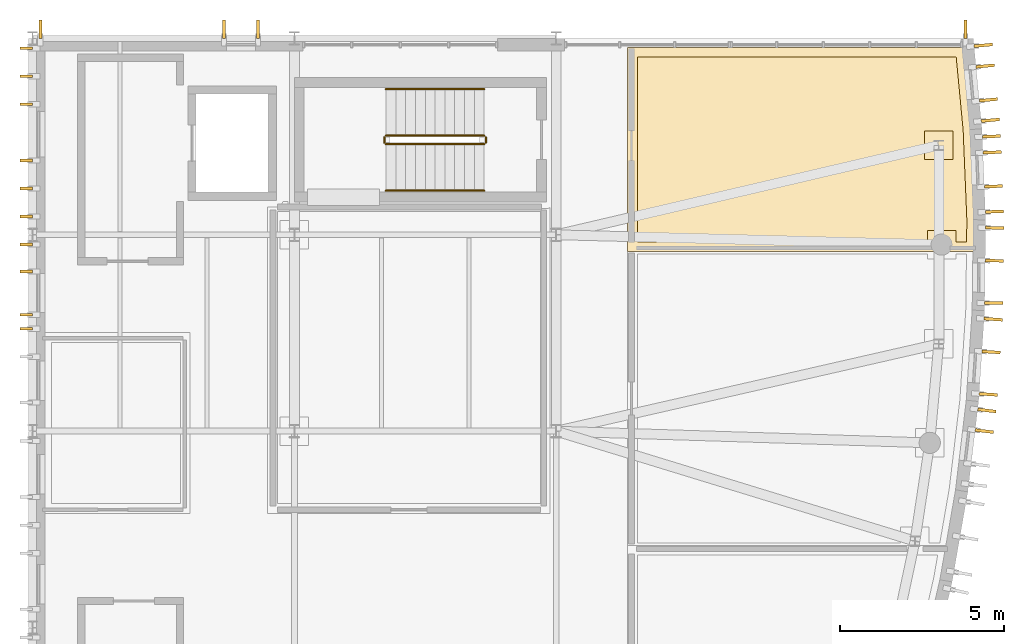
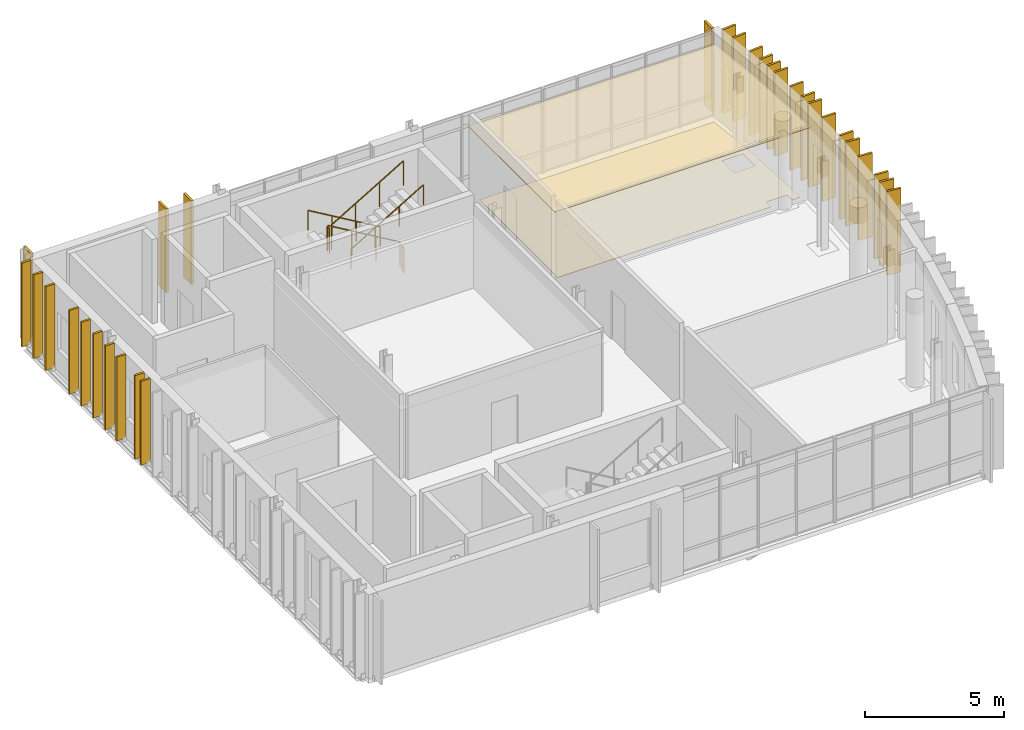
# One storey, part 10 of 10: 32 coverings, 6 railings.
"""IFC4 building model written with IfcOpenShell, lengths in metres."""

import ifcopenshell
import ifcopenshell.guid

model = None  # the IFC model being written
_history = None  # IfcOwnerHistory: only IFC2X3 demands one
_inside = {}  # id of a spatial element -> (the spatial element, [elements in it])
_under = {}  # id of a project, library or spatial element -> (it, [spatial elements below it])
_declared = {}  # id of a project -> (the project, [libraries it declares])
_typed = {}  # id of a type object -> (the type object, [elements of that type])
_made_of = {}  # id of a material, layer set ... -> (it, [elements and type objects made of it])


def new_model(schema):
    """Start an empty IFC model of exactly this schema.

    Asked for "IFC4X3", IfcOpenShell would pick the latest addendum, in which some entities
    have other attributes; the version numbers below select the first issue.
    IFC2X3 requires an IfcOwnerHistory on every rooted entity: one is made here for all.
    """
    global model, _history
    if schema == "IFC4X3":
        model = ifcopenshell.file(schema_version=(4, 3, 0, 0))
    else:
        model = ifcopenshell.file(schema=schema)
    _inside.clear()
    _under.clear()
    _declared.clear()
    _typed.clear()
    _made_of.clear()
    _history = None
    if model.schema == "IFC2X3":
        org = make("IfcOrganization", Name="unknown")
        user = make(
            "IfcPersonAndOrganization",
            ThePerson=make("IfcPerson", FamilyName="unknown"),
            TheOrganization=org,
        )
        app = make(
            "IfcApplication",
            ApplicationDeveloper=org,
            Version="unknown",
            ApplicationFullName="unknown",
            ApplicationIdentifier="unknown",
        )
        _history = make(
            "IfcOwnerHistory",
            OwningUser=user,
            OwningApplication=app,
            ChangeAction="ADDED",
            CreationDate=0,
        )
    return model


def make(cls, **values):
    """One entity of the class cls with the attributes given. An attribute that is None is left unset."""
    return model.create_entity(
        cls, **{name: value for name, value in values.items() if value is not None}
    )


def rooted(cls, **values):
    """An entity with a GlobalId (a new one), such as an element, a storey or a relation."""
    return make(cls, GlobalId=ifcopenshell.guid.new(), OwnerHistory=_history, **values)


def si_unit(unit_type, name, prefix=None):
    """IfcSIUnit, for example si_unit("LENGTHUNIT", "METRE", prefix="MILLI")."""
    return make("IfcSIUnit", UnitType=unit_type, Prefix=prefix, Name=name)


def assignment(units):
    """IfcUnitAssignment: the units of a project."""
    return None if units is None else make("IfcUnitAssignment", Units=units)


def point(xyz):
    """IfcCartesianPoint."""
    return None if xyz is None else make("IfcCartesianPoint", Coordinates=xyz)


def direction(xyz):
    """IfcDirection."""
    return None if xyz is None else make("IfcDirection", DirectionRatios=xyz)


def frame(location, z_axis=None, x_axis=None):
    """IfcAxis2Placement3D, a coordinate frame: its origin and axes. An axis left out is left unset."""
    return make(
        "IfcAxis2Placement3D",
        Location=point(location),
        Axis=direction(z_axis),
        RefDirection=direction(x_axis),
    )


def frame_2d(location, x_axis=None):
    """IfcAxis2Placement2D, a coordinate frame in the plane: its origin and x axis."""
    return make(
        "IfcAxis2Placement2D", Location=point(location), RefDirection=direction(x_axis)
    )


def origin():
    """The frame at (0, 0, 0) with its axes left unset."""
    return frame((0.0, 0.0, 0.0))


def origin_2d():
    """The frame at (0, 0) in the plane with its x axis left unset."""
    return frame_2d((0.0, 0.0))


def place(relative_to, where):
    """IfcLocalPlacement: puts the frame where relative to a parent placement (None: the world)."""
    return make(
        "IfcLocalPlacement", PlacementRelTo=relative_to, RelativePlacement=where
    )


def context(
    kind, dimensions, precision=None, world=None, true_north=None, identifier=None
):
    """IfcGeometricRepresentationContext, for example the 3D "Model" context."""
    return make(
        "IfcGeometricRepresentationContext",
        ContextIdentifier=identifier,
        ContextType=kind,
        CoordinateSpaceDimension=dimensions,
        Precision=precision,
        WorldCoordinateSystem=world,
        TrueNorth=true_north,
    )


def subcontext(parent, identifier, kind, view, scale=None):
    """IfcGeometricRepresentationSubContext, for example "Body" below "Model"."""
    return make(
        "IfcGeometricRepresentationSubContext",
        ContextIdentifier=identifier,
        ContextType=kind,
        ParentContext=parent,
        TargetScale=scale,
        TargetView=view,
    )


def project(units=None, contexts=None):
    """IfcProject with its units and contexts."""
    return rooted(
        "IfcProject",
        Name="project",
        RepresentationContexts=contexts,
        UnitsInContext=assignment(units),
    )


def spatial(cls, under=None, at=None, **own):
    """A site, building, storey or space (cls), placed at a placement, below another one or the project."""
    s = rooted(cls, ObjectPlacement=at, **own)
    if under is not None:
        _under.setdefault(under.id(), (under, []))[1].append(s)
    return s


def polyline(points):
    """IfcPolyline through the points."""
    return make("IfcPolyline", Points=[point(p) for p in points])


def profile(cls, at=None, kind="AREA", **sizes):
    """A parametric profile (cls). Its sizes go by their IFC names, for example OverallWidth=200.0."""
    return make(cls, ProfileType=kind, Position=at, **sizes)


def rectangle(**sizes):
    """IfcRectangleProfileDef."""
    return profile("IfcRectangleProfileDef", **sizes)


def circle(**sizes):
    """IfcCircleProfileDef."""
    return profile("IfcCircleProfileDef", **sizes)


def outline(outer, holes=None, kind="AREA"):
    """IfcArbitraryClosedProfileDef: a profile drawn as a closed curve; with holes, ...WithVoids."""
    if holes is None:
        return make("IfcArbitraryClosedProfileDef", ProfileType=kind, OuterCurve=outer)
    return make(
        "IfcArbitraryProfileDefWithVoids",
        ProfileType=kind,
        OuterCurve=outer,
        InnerCurves=holes,
    )


def extrude(swept, where, along, depth):
    """IfcExtrudedAreaSolid: the profile swept, set in the frame where, extruded along a direction by depth."""
    return make(
        "IfcExtrudedAreaSolid",
        SweptArea=swept,
        Position=where,
        ExtrudedDirection=direction(along),
        Depth=depth,
    )


def shape(context_of_items, identifier, shape_type, items):
    """IfcShapeRepresentation: the items that make up one representation, for example the "Body"."""
    return make(
        "IfcShapeRepresentation",
        ContextOfItems=context_of_items,
        RepresentationIdentifier=identifier,
        RepresentationType=shape_type,
        Items=items,
    )


def material(Name=None, Category=None):
    """IfcMaterial."""
    return make("IfcMaterial", Name=Name, Category=Category)


def layer(
    of_material, thickness, ventilated=None, Name=None, Category=None, Priority=None
):
    """IfcMaterialLayer: one layer of a wall or slab, of a material (None: an air gap)."""
    return make(
        "IfcMaterialLayer",
        Material=of_material,
        LayerThickness=thickness,
        IsVentilated=ventilated,
        Name=Name,
        Category=Category,
        Priority=Priority,
    )


def layer_set(layers, Name=None):
    """IfcMaterialLayerSet."""
    return make("IfcMaterialLayerSet", MaterialLayers=layers, LayerSetName=Name)


def made_of(thing, what):
    """Note that an element or type object is made of a material, layer set ...; save() writes the relation."""
    if what is not None:
        _made_of.setdefault(what.id(), (what, []))[1].append(thing)
    return thing


def type_object(cls, material=None, **own):
    """A type object (cls), such as IfcWallType, which elements share."""
    return made_of(rooted(cls, **own), material)


def element(
    cls,
    number,
    at=None,
    inside=None,
    cuts=None,
    type_object=None,
    material=None,
    context=None,
    identifier="Body",
    shape_type=None,
    held_by="IfcProductDefinitionShape",
    body=None,
    shapes=None,
    **own,
):
    """One element of the class cls, such as IfcWall. Its Tag is "e" and its number.

    at: its placement. inside: the storey or other place that contains it. cuts: it is an
    opening in that element (IfcRelVoidsElement). A single representation is given by context,
    identifier, shape_type and body (its items); several are given by shapes. held_by: the class
    of the entity that holds the representations. save() writes the other relations.
    """
    e = rooted(cls, Tag="e%d" % number, ObjectPlacement=at, **own)
    if body is not None:
        shapes = [shape(context, identifier, shape_type, body)]
    if shapes is not None:
        e.Representation = make(held_by, Representations=shapes)
    if inside is not None:
        _inside.setdefault(inside.id(), (inside, []))[1].append(e)
    if cuts is not None:
        rooted(
            "IfcRelVoidsElement", RelatingBuildingElement=cuts, RelatedOpeningElement=e
        )
    if type_object is not None:
        _typed.setdefault(type_object.id(), (type_object, []))[1].append(e)
    return made_of(e, material)


def aggregate(whole, parts):
    """IfcRelAggregates: a whole, such as a stair, and the parts it consists of."""
    return rooted("IfcRelAggregates", RelatingObject=whole, RelatedObjects=parts)


def save(model, path):
    """Write the relations noted so far, then the file.

    IfcRelAggregates (storeys below a building ...), IfcRelContainedInSpatialStructure (elements
    in a storey), IfcRelDefinesByType, IfcRelAssociatesMaterial and IfcRelDeclares: one each for
    every whole, place, type object, material and project.
    """
    for whole, parts in _under.values():
        aggregate(whole, parts)
    for where, things in _inside.values():
        rooted(
            "IfcRelContainedInSpatialStructure",
            RelatedElements=things,
            RelatingStructure=where,
        )
    for kind, things in _typed.values():
        rooted("IfcRelDefinesByType", RelatedObjects=things, RelatingType=kind)
    for what, things in _made_of.values():
        rooted("IfcRelAssociatesMaterial", RelatedObjects=things, RelatingMaterial=what)
    for by, libraries in _declared.values():
        rooted("IfcRelDeclares", RelatingContext=by, RelatedDefinitions=libraries)
    model.write(path)


model = new_model("IFC4")

# Units and contexts
model_context = context("Model", 3, precision=1e-05, world=origin(), true_north=direction((0.0, 1.0)))
body_context = subcontext(model_context, "Body", "Model", "MODEL_VIEW")
ifc_project = project(units=[si_unit("LENGTHUNIT", "METRE"), si_unit("AREAUNIT", "SQUARE_METRE"), si_unit("VOLUMEUNIT", "CUBIC_METRE"), si_unit("PLANEANGLEUNIT", "RADIAN"), si_unit("MASSUNIT", "GRAM", prefix="KILO")], contexts=[model_context])

# Site, building, storey
site_placement = place(None, origin())
site = spatial("IfcSite", under=ifc_project, at=site_placement, CompositionType="ELEMENT")
building_placement = place(site_placement, origin())
building = spatial("IfcBuilding", under=site, at=building_placement, Name="Cymarion Research Institute", CompositionType="ELEMENT")
storey_placement = place(building_placement, frame((0.0, 0.0, 38.39990234375)))
storey = spatial("IfcBuildingStorey", under=building, at=storey_placement, Name="L09", CompositionType="ELEMENT", Elevation=38.39990234375)

# Coverings
ifc_material_1 = material(Name="Micro-perforated mineral acoustic ceiling tile", Category="gypsum")
ifc_layer_1 = layer(ifc_material_1, 0.030029296875)
ifc_layer_set_1 = layer_set([ifc_layer_1], Name="Micro-perforated mineral acoustic ceiling tile")
covering_type_1 = type_object("IfcCoveringType", Name="ACOUSTIC MICRO-PERFORATED SUSPENDED CEILING CLG-01", PredefinedType="CEILING", material=ifc_layer_set_1)
covering_1_placement = place(storey_placement, frame((0.0, 0.0, 3.150146484375)))
element("IfcCovering", 1, at=covering_1_placement, inside=storey, type_object=covering_type_1, Name="L09 L09 Tower Staff Restrooms and Accessible Washroom acoustic ceiling", PredefinedType="CEILING", context=body_context, shape_type="SweptSolid", body=[
    extrude(outline(polyline([(167.44580078125, 23.952392578125), (167.43408203125, 22.985107421875), (166.511474609375, 22.985107421875), (166.511474609375, 23.3349609375), (166.241455078125, 23.3349609375), (166.241455078125, 22.985107421875), (156.784912109375, 22.985107421875), (156.784912109375, 29.22509765625), (167.093505859375, 29.22509765625), (167.331787109375, 26.714599609375), (167.44580078125, 23.952392578125)])), origin(), (0.0, 0.0, 1.0), 0.030029296875),
])
ifc_material_2 = material(Name="Precast concrete C45/55 architectural white", Category="concrete")
ifc_layer_2 = layer(ifc_material_2, 0.090087890625)
ifc_layer_set_2 = layer_set([ifc_layer_2], Name="Precast concrete C45/55 architectural white")
covering_type_2 = type_object("IfcCoveringType", Name="ARCHITECTURAL WHITE PRECAST CONCRETE VERTICAL FIN FIN1 560MM", PredefinedType="CLADDING", material=ifc_layer_set_2)
for number, where, z_axis, x_axis, name in (
    (2, (167.680908203125, 17.501708984375, 0.01025390625), (0.0, 0.0, 1.0), (0.992924116831, -0.118750571435, 0.0), "L09 V1 white precast vertical fin FIN1 #818"),
    (3, (167.75634765625, 18.13232421875, 0.01025390625), (0.0, 0.0, 1.0), (0.992924116831, -0.118750571435, 0.0), "L09 V1 white precast vertical fin FIN1 #819"),
    (4, (167.802001953125, 18.625, 0.01025390625), (0.0, 0.0, 1.0), (0.997847493041, -0.06557728747, 0.0), "L09 V1 white precast vertical fin FIN1 #820"),
    (5, (167.88720703125, 19.919189453125, 0.01025390625), (0.0, 0.0, 1.0), (0.997847493041, -0.06557728747, 0.0), "L09 V1 white precast vertical fin FIN1 #821"),
    (6, (167.952880859375, 20.91943359375, 0.01025390625), (0.0, 0.0, 1.0), (0.997847493041, -0.06557728747, 0.0), "L09 V1 white precast vertical fin FIN1 #822"),
    (7, (167.971923828125, 21.413818359375, 0.01025390625), (0.0, 0.0, 1.0), (0.99992536966, -0.012217000835, 0.0), "L09 V1 white precast vertical fin FIN1 #823"),
    (8, (167.98779296875, 22.707763671875, 0.01025390625), (0.0, 0.0, 1.0), (0.99992536966, -0.012217000835, 0.0), "L09 V1 white precast vertical fin FIN1 #824"),
    (9, (168.0, 23.712890625, 0.01025390625), (0.0, 0.0, 1.0), (0.99992536966, -0.012217000835, 0.0), "L09 V1 white precast vertical fin FIN1 #825"),
    (10, (167.992919921875, 24.207763671875, 0.01025390625), (0.0, 0.0, 1.0), (0.999144619181, 0.041352508522, 0.0), "L09 V1 white precast vertical fin FIN1 #826"),
    (11, (167.9609375, 24.978271484375, 0.01025390625), (0.0, 0.0, 1.0), (0.999144619181, 0.041352508522, 0.0), "L09 V1 white precast vertical fin FIN1 #827"),
    (12, (167.918212890625, 26.017333984375, 0.01025390625), (0.0, 0.0, 1.0), (0.999144619181, 0.041352508522, 0.0), "L09 V1 white precast vertical fin FIN1 #828"),
    (13, (167.89794921875, 26.505126953125, 0.01025390625), (0.0, 0.0, 1.0), (0.999144619181, 0.041352508522, 0.0), "L09 V1 white precast vertical fin FIN1 #829"),
    (14, (167.8642578125, 26.998779296875, 0.01025390625), (0.0, 0.0, 1.0), (0.995512553138, 0.09462957542, 0.0), "L09 V1 white precast vertical fin FIN1 #830"),
    (15, (167.805419921875, 27.6201171875, 0.01025390625), (0.0, 0.0, 1.0), (0.995512553138, 0.09462957542, 0.0), "L09 V1 white precast vertical fin FIN1 #831"),
    (16, (167.70703125, 28.6552734375, 0.01025390625), (0.0, 0.0, 1.0), (0.995512553138, 0.09462957542, 0.0), "L09 V1 white precast vertical fin FIN1 #832"),
    (17, (167.64697265625, 29.287841796875, 0.01025390625), (0.0, 0.0, 1.0), (0.995512553138, 0.09462957542, 0.0), "L09 V1 white precast vertical fin FIN1 #833"),
    (18, (167.103515625, 29.781982421875, 0.01025390625), (0.0, 0.0, 1.0), (0.0, 1.0, 0.0), "L09 V1 white precast vertical fin FIN1 #834"),
    (19, (145.489013671875, 29.781982421875, 0.01025390625), (0.0, 0.0, 1.0), (0.0, 1.0, 0.0), "L09 V1 white precast vertical fin FIN1 #835"),
    (20, (144.448974609375, 29.781982421875, 0.01025390625), (0.0, 0.0, 1.0), (0.0, 1.0, 0.0), "L09 V1 white precast vertical fin FIN1 #836"),
    (21, (138.840087890625, 29.781982421875, 0.01025390625), (0.0, 0.0, 1.0), (0.0, 1.0, 0.0), "L09 V1 white precast vertical fin FIN1 #837"),
):
    element("IfcCovering", number, at=place(storey_placement, frame(where, z_axis=z_axis, x_axis=x_axis)), inside=storey, type_object=covering_type_2, Name=name, PredefinedType="CLADDING", context=body_context, shape_type="SweptSolid", body=[
        extrude(rectangle(XDim=0.56005859375, YDim=0.090087890625, at=origin_2d()), origin(), (0.0, 0.0, 1.0), 3.679931640625),
    ])
ifc_layer_3 = layer(ifc_material_2, 0.0849609375)
ifc_layer_set_3 = layer_set([ifc_layer_3], Name="Precast concrete C45/55 architectural white")
covering_type_3 = type_object("IfcCoveringType", Name="ARCHITECTURAL WHITE PRECAST CONCRETE VERTICAL FIN FIN3 380MM", PredefinedType="CLADDING", material=ifc_layer_set_3)
for number, where, z_axis, x_axis, name in (
    (22, (138.407958984375, 29.199951171875, 0.01025390625), (0.0, 0.0, 1.0), (-1.0, 0.0, 0.0), "L09 V1 white precast vertical fin FIN3 #838"),
    (23, (138.407958984375, 28.343017578125, 0.01025390625), (0.0, 0.0, 1.0), (-1.0, 0.0, 0.0), "L09 V1 white precast vertical fin FIN3 #839"),
    (24, (138.407958984375, 27.485595703125, 0.01025390625), (0.0, 0.0, 1.0), (-1.0, 0.0, 0.0), "L09 V1 white precast vertical fin FIN3 #840"),
    (25, (138.407958984375, 25.771484375, 0.01025390625), (0.0, 0.0, 1.0), (-1.0, 0.0, 0.0), "L09 V1 white precast vertical fin FIN3 #841"),
    (26, (138.407958984375, 24.914306640625, 0.01025390625), (0.0, 0.0, 1.0), (-1.0, 0.0, 0.0), "L09 V1 white precast vertical fin FIN3 #842"),
    (27, (138.407958984375, 24.05712890625, 0.01025390625), (0.0, 0.0, 1.0), (-1.0, 0.0, 0.0), "L09 V1 white precast vertical fin FIN3 #843"),
    (28, (138.407958984375, 23.199951171875, 0.01025390625), (0.0, 0.0, 1.0), (-1.0, 0.0, 0.0), "L09 V1 white precast vertical fin FIN3 #844"),
    (29, (138.407958984375, 22.3798828125, 0.01025390625), (0.0, 0.0, 1.0), (-1.0, 0.0, 0.0), "L09 V1 white precast vertical fin FIN3 #845"),
    (30, (138.407958984375, 21.06005859375, 0.01025390625), (0.0, 0.0, 1.0), (-1.0, 0.0, 0.0), "L09 V1 white precast vertical fin FIN3 #846"),
    (31, (138.407958984375, 20.628662109375, 0.01025390625), (0.0, 0.0, 1.0), (-1.0, 0.0, 0.0), "L09 V1 white precast vertical fin FIN3 #847"),
):
    element("IfcCovering", number, at=place(storey_placement, frame(where, z_axis=z_axis, x_axis=x_axis)), inside=storey, type_object=covering_type_3, Name=name, PredefinedType="CLADDING", context=body_context, shape_type="SweptSolid", body=[
        extrude(rectangle(XDim=0.3798828125, YDim=0.0849609375, at=origin_2d()), origin(), (0.0, 0.0, 1.0), 3.679931640625),
    ])

# Railings
ifc_material_3 = material(Name="Steel S355", Category="steel")
railing_type_1 = type_object("IfcRailingType", Name="PAINTED STEEL STAIR GUARDRAIL GR1 1100MM", PredefinedType="GUARDRAIL", material=ifc_material_3)
railing_1_placement = place(storey_placement, frame((152.39990234375, 26.530029296875, 0.177490234375)))
element("IfcRailing", 32, at=railing_1_placement, inside=storey, type_object=railing_type_1, Name="L09 ST2 stair guard 1", PredefinedType="GUARDRAIL", context=body_context, shape_type="SweptSolid", body=[
    extrude(circle(Radius=0.02392578125, at=origin_2d()), frame((0.0, 0.0, 1.076171875), z_axis=(-0.86092931783, 0.0, 0.508724591208), x_axis=(0.0, -1.0, 0.0)), (0.0, 0.0, 1.0), 3.484619140625),
    extrude(circle(Radius=0.02099609375, at=origin_2d()), origin(), (0.0, 0.0, 1.0), 1.052001953125),
    extrude(circle(Radius=0.02099609375, at=origin_2d()), frame((-1.0, 0.0, 0.5908203125)), (0.0, 0.0, 1.0), 1.052001953125),
    extrude(circle(Radius=0.02099609375, at=origin_2d()), frame((-2.0, 0.0, 1.181884765625)), (0.0, 0.0, 1.0), 1.052001953125),
    extrude(circle(Radius=0.02099609375, at=origin_2d()), frame((-3.0, 0.0, 1.772705078125)), (0.0, 0.0, 1.0), 1.052001953125),
])
railing_2_placement = place(storey_placement, frame((149.35009765625, 26.47998046875, 1.9501953125)))
element("IfcRailing", 33, at=railing_2_placement, inside=storey, type_object=railing_type_1, Name="L09 ST2 stair guard 2", PredefinedType="GUARDRAIL", context=body_context, shape_type="SweptSolid", body=[
    extrude(circle(Radius=0.02392578125, at=origin_2d()), frame((0.0, 0.0, 1.076171875), z_axis=(0.0, -1.0, 0.0), x_axis=(1.0, 0.0, 0.0)), (0.0, 0.0, 1.0), 0.159912109375),
    extrude(circle(Radius=0.02099609375, at=origin_2d()), origin(), (0.0, 0.0, 1.0), 1.052001953125),
    extrude(circle(Radius=0.02099609375, at=origin_2d()), frame((0.0, -0.159912109375, 0.0)), (0.0, 0.0, 1.0), 1.052001953125),
])
railing_3_placement = place(storey_placement, frame((149.39990234375, 26.27001953125, 2.12744140625)))
element("IfcRailing", 34, at=railing_3_placement, inside=storey, type_object=railing_type_1, Name="L09 ST2 stair guard 3", PredefinedType="GUARDRAIL", context=body_context, shape_type="SweptSolid", body=[
    extrude(circle(Radius=0.02392578125, at=origin_2d()), frame((0.0, 0.0, 1.076171875), z_axis=(0.86092931783, 0.0, 0.508724591208), x_axis=(0.0, 1.0, 0.0)), (0.0, 0.0, 1.0), 3.484619140625),
    extrude(circle(Radius=0.02099609375, at=origin_2d()), origin(), (0.0, 0.0, 1.0), 1.052001953125),
    extrude(circle(Radius=0.02099609375, at=origin_2d()), frame((1.0, 0.0, 0.5908203125)), (0.0, 0.0, 1.0), 1.052001953125),
    extrude(circle(Radius=0.02099609375, at=origin_2d()), frame((2.0, 0.0, 1.181884765625)), (0.0, 0.0, 1.0), 1.052001953125),
    extrude(circle(Radius=0.02099609375, at=origin_2d()), frame((3.0, 0.0, 1.772705078125)), (0.0, 0.0, 1.0), 1.052001953125),
])
railing_4_placement = place(storey_placement, frame((152.449951171875, 26.47998046875, 0.0)))
element("IfcRailing", 35, at=railing_4_placement, inside=storey, type_object=railing_type_1, Name="L09 ST2 stair guard 4", PredefinedType="GUARDRAIL", context=body_context, shape_type="SweptSolid", body=[
    extrude(circle(Radius=0.02392578125, at=origin_2d()), frame((0.0, 0.0, 1.076171875), z_axis=(0.0, -1.0, 0.0), x_axis=(1.0, 0.0, 0.0)), (0.0, 0.0, 1.0), 0.159912109375),
    extrude(circle(Radius=0.02099609375, at=origin_2d()), origin(), (0.0, 0.0, 1.0), 1.052001953125),
    extrude(circle(Radius=0.02099609375, at=origin_2d()), frame((0.0, -0.159912109375, 0.0)), (0.0, 0.0, 1.0), 1.052001953125),
])

# Covering
ifc_material_4 = material(Name="Seamless dissipative epoxy resin flooring", Category="resin")
ifc_layer_4 = layer(ifc_material_4, 0.02001953125)
ifc_layer_set_4 = layer_set([ifc_layer_4], Name="Seamless dissipative epoxy resin flooring")
covering_type_4 = type_object("IfcCoveringType", Name="SEAMLESS ESD EPOXY LABORATORY FLOORING FLR-01", PredefinedType="FLOORING", material=ifc_layer_set_4)
covering_2_placement = place(storey_placement, origin())
element("IfcCovering", 36, at=covering_2_placement, inside=storey, type_object=covering_type_4, Name="L09 L09 Tower Staff Restrooms and Accessible Washroom ESD epoxy flooring", PredefinedType="FLOORING", context=body_context, shape_type="SweptSolid", body=[
    extrude(outline(polyline([(167.032470703125, 26.694091796875), (167.14599609375, 23.947998046875), (167.1376953125, 23.284912109375), (166.8115234375, 23.284912109375), (166.8115234375, 23.635009765625), (165.94140625, 23.635009765625), (165.94140625, 23.284912109375), (157.0849609375, 23.284912109375), (157.0849609375, 28.925048828125), (166.820556640625, 28.925048828125), (167.032470703125, 26.694091796875)]), holes=[polyline([(166.720458984375, 25.799072265625), (166.720458984375, 26.6689453125), (165.8505859375, 26.6689453125), (165.8505859375, 25.799072265625), (166.720458984375, 25.799072265625)])]), origin(), (0.0, 0.0, 1.0), 0.02001953125),
])

# Railings
railing_type_2 = type_object("IfcRailingType", Name="STAINLESS STEEL STAIR HANDRAIL HR1 900MM", PredefinedType="HANDRAIL", material=ifc_material_3)
railing_5_placement = place(storey_placement, frame((152.39990234375, 27.949951171875, 0.177490234375)))
element("IfcRailing", 37, at=railing_5_placement, inside=storey, type_object=railing_type_2, Name="L09 ST2 stair handrail 1", PredefinedType="HANDRAIL", context=body_context, shape_type="SweptSolid", body=[
    extrude(circle(Radius=0.02392578125, at=origin_2d()), frame((0.0, 0.0, 0.8759765625), z_axis=(-0.86092931783, 0.0, 0.508724591208), x_axis=(0.0, -1.0, 0.0)), (0.0, 0.0, 1.0), 3.484619140625),
    extrude(circle(Radius=0.02099609375, at=origin_2d()), origin(), (0.0, 0.0, 1.0), 0.851806640625),
    extrude(circle(Radius=0.02099609375, at=origin_2d()), frame((-1.0, 0.0, 0.5908203125)), (0.0, 0.0, 1.0), 0.851806640625),
    extrude(circle(Radius=0.02099609375, at=origin_2d()), frame((-2.0, 0.0, 1.181884765625)), (0.0, 0.0, 1.0), 0.851806640625),
    extrude(circle(Radius=0.02099609375, at=origin_2d()), frame((-3.0, 0.0, 1.772705078125)), (0.0, 0.0, 1.0), 0.851806640625),
])
railing_6_placement = place(storey_placement, frame((149.39990234375, 24.85009765625, 2.12744140625)))
element("IfcRailing", 38, at=railing_6_placement, inside=storey, type_object=railing_type_2, Name="L09 ST2 stair handrail 2", PredefinedType="HANDRAIL", context=body_context, shape_type="SweptSolid", body=[
    extrude(circle(Radius=0.02392578125, at=origin_2d()), frame((0.0, 0.0, 0.8759765625), z_axis=(0.86092931783, 0.0, 0.508724591208), x_axis=(0.0, 1.0, 0.0)), (0.0, 0.0, 1.0), 3.484619140625),
    extrude(circle(Radius=0.02099609375, at=origin_2d()), origin(), (0.0, 0.0, 1.0), 0.851806640625),
    extrude(circle(Radius=0.02099609375, at=origin_2d()), frame((1.0, 0.0, 0.5908203125)), (0.0, 0.0, 1.0), 0.851806640625),
    extrude(circle(Radius=0.02099609375, at=origin_2d()), frame((2.0, 0.0, 1.181884765625)), (0.0, 0.0, 1.0), 0.851806640625),
    extrude(circle(Radius=0.02099609375, at=origin_2d()), frame((3.0, 0.0, 1.772705078125)), (0.0, 0.0, 1.0), 0.851806640625),
])

save(model, "model.ifc")
